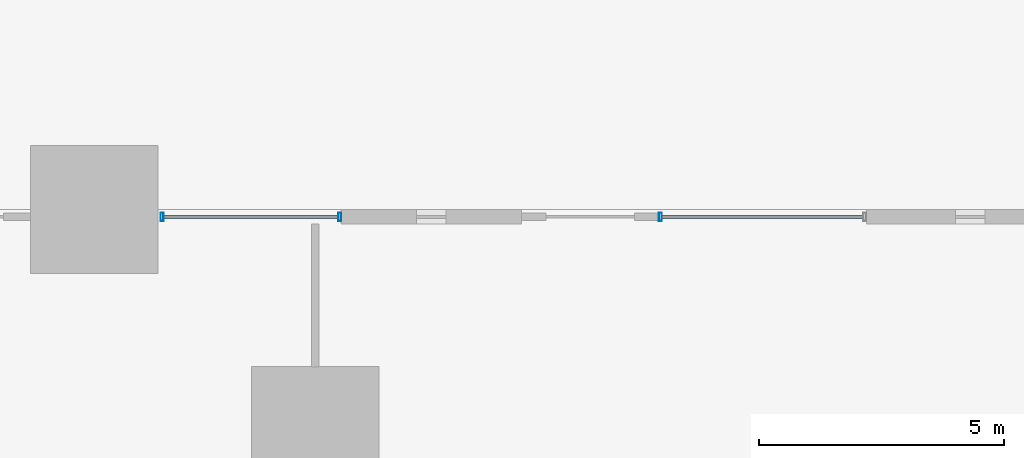
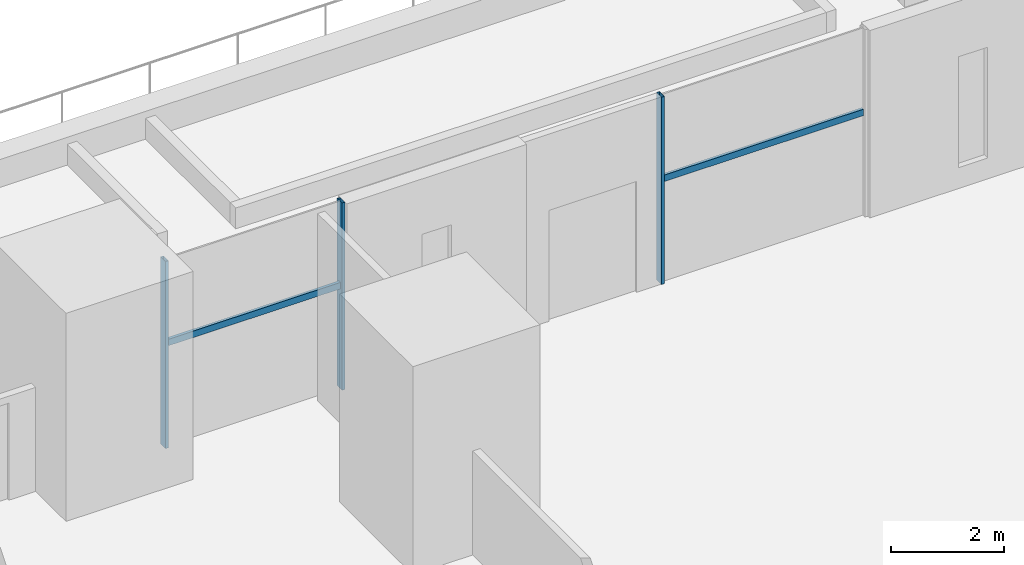
# One storey, part 8 of 26: 5 members, 2 elements without a shape of their own.
"""IFC4 building model written with IfcOpenShell, lengths in metres."""

import ifcopenshell
import ifcopenshell.guid

model = None  # the IFC model being written
_history = None  # IfcOwnerHistory: only IFC2X3 demands one
_inside = {}  # id of a spatial element -> (the spatial element, [elements in it])
_under = {}  # id of a project, library or spatial element -> (it, [spatial elements below it])
_declared = {}  # id of a project -> (the project, [libraries it declares])
_typed = {}  # id of a type object -> (the type object, [elements of that type])
_made_of = {}  # id of a material, layer set ... -> (it, [elements and type objects made of it])


def new_model(schema):
    """Start an empty IFC model of exactly this schema.

    Asked for "IFC4X3", IfcOpenShell would pick the latest addendum, in which some entities
    have other attributes; the version numbers below select the first issue.
    IFC2X3 requires an IfcOwnerHistory on every rooted entity: one is made here for all.
    """
    global model, _history
    if schema == "IFC4X3":
        model = ifcopenshell.file(schema_version=(4, 3, 0, 0))
    else:
        model = ifcopenshell.file(schema=schema)
    _inside.clear()
    _under.clear()
    _declared.clear()
    _typed.clear()
    _made_of.clear()
    _history = None
    if model.schema == "IFC2X3":
        org = make("IfcOrganization", Name="unknown")
        user = make(
            "IfcPersonAndOrganization",
            ThePerson=make("IfcPerson", FamilyName="unknown"),
            TheOrganization=org,
        )
        app = make(
            "IfcApplication",
            ApplicationDeveloper=org,
            Version="unknown",
            ApplicationFullName="unknown",
            ApplicationIdentifier="unknown",
        )
        _history = make(
            "IfcOwnerHistory",
            OwningUser=user,
            OwningApplication=app,
            ChangeAction="ADDED",
            CreationDate=0,
        )
    return model


def make(cls, **values):
    """One entity of the class cls with the attributes given. An attribute that is None is left unset."""
    return model.create_entity(
        cls, **{name: value for name, value in values.items() if value is not None}
    )


def rooted(cls, **values):
    """An entity with a GlobalId (a new one), such as an element, a storey or a relation."""
    return make(cls, GlobalId=ifcopenshell.guid.new(), OwnerHistory=_history, **values)


def si_unit(unit_type, name, prefix=None):
    """IfcSIUnit, for example si_unit("LENGTHUNIT", "METRE", prefix="MILLI")."""
    return make("IfcSIUnit", UnitType=unit_type, Prefix=prefix, Name=name)


def assignment(units):
    """IfcUnitAssignment: the units of a project."""
    return None if units is None else make("IfcUnitAssignment", Units=units)


def point(xyz):
    """IfcCartesianPoint."""
    return None if xyz is None else make("IfcCartesianPoint", Coordinates=xyz)


def direction(xyz):
    """IfcDirection."""
    return None if xyz is None else make("IfcDirection", DirectionRatios=xyz)


def frame(location, z_axis=None, x_axis=None):
    """IfcAxis2Placement3D, a coordinate frame: its origin and axes. An axis left out is left unset."""
    return make(
        "IfcAxis2Placement3D",
        Location=point(location),
        Axis=direction(z_axis),
        RefDirection=direction(x_axis),
    )


def frame_2d(location, x_axis=None):
    """IfcAxis2Placement2D, a coordinate frame in the plane: its origin and x axis."""
    return make(
        "IfcAxis2Placement2D", Location=point(location), RefDirection=direction(x_axis)
    )


def origin():
    """The frame at (0, 0, 0) with its axes left unset."""
    return frame((0.0, 0.0, 0.0))


def origin_2d():
    """The frame at (0, 0) in the plane with its x axis left unset."""
    return frame_2d((0.0, 0.0))


def place(relative_to, where):
    """IfcLocalPlacement: puts the frame where relative to a parent placement (None: the world)."""
    return make(
        "IfcLocalPlacement", PlacementRelTo=relative_to, RelativePlacement=where
    )


def context(
    kind, dimensions, precision=None, world=None, true_north=None, identifier=None
):
    """IfcGeometricRepresentationContext, for example the 3D "Model" context."""
    return make(
        "IfcGeometricRepresentationContext",
        ContextIdentifier=identifier,
        ContextType=kind,
        CoordinateSpaceDimension=dimensions,
        Precision=precision,
        WorldCoordinateSystem=world,
        TrueNorth=true_north,
    )


def subcontext(parent, identifier, kind, view, scale=None):
    """IfcGeometricRepresentationSubContext, for example "Body" below "Model"."""
    return make(
        "IfcGeometricRepresentationSubContext",
        ContextIdentifier=identifier,
        ContextType=kind,
        ParentContext=parent,
        TargetScale=scale,
        TargetView=view,
    )


def project(units=None, contexts=None):
    """IfcProject with its units and contexts."""
    return rooted(
        "IfcProject",
        Name="project",
        RepresentationContexts=contexts,
        UnitsInContext=assignment(units),
    )


def spatial(cls, under=None, at=None, **own):
    """A site, building, storey or space (cls), placed at a placement, below another one or the project."""
    s = rooted(cls, ObjectPlacement=at, **own)
    if under is not None:
        _under.setdefault(under.id(), (under, []))[1].append(s)
    return s


def profile(cls, at=None, kind="AREA", **sizes):
    """A parametric profile (cls). Its sizes go by their IFC names, for example OverallWidth=200.0."""
    return make(cls, ProfileType=kind, Position=at, **sizes)


def hollow_rectangle(**sizes):
    """IfcRectangleHollowProfileDef."""
    return profile("IfcRectangleHollowProfileDef", **sizes)


def extrude(swept, where, along, depth):
    """IfcExtrudedAreaSolid: the profile swept, set in the frame where, extruded along a direction by depth."""
    return make(
        "IfcExtrudedAreaSolid",
        SweptArea=swept,
        Position=where,
        ExtrudedDirection=direction(along),
        Depth=depth,
    )


def shape(context_of_items, identifier, shape_type, items):
    """IfcShapeRepresentation: the items that make up one representation, for example the "Body"."""
    return make(
        "IfcShapeRepresentation",
        ContextOfItems=context_of_items,
        RepresentationIdentifier=identifier,
        RepresentationType=shape_type,
        Items=items,
    )


def material(Name=None, Category=None):
    """IfcMaterial."""
    return make("IfcMaterial", Name=Name, Category=Category)


def material_profile(
    of_material, cross_section, Name=None, Category=None, Priority=None
):
    """IfcMaterialProfile: a cross section and its material."""
    return make(
        "IfcMaterialProfile",
        Name=Name,
        Material=of_material,
        Profile=cross_section,
        Priority=Priority,
        Category=Category,
    )


def profile_set(profiles, Name=None, composite=None):
    """IfcMaterialProfileSet."""
    return make(
        "IfcMaterialProfileSet",
        Name=Name,
        MaterialProfiles=profiles,
        CompositeProfile=composite,
    )


def made_of(thing, what):
    """Note that an element or type object is made of a material, layer set ...; save() writes the relation."""
    if what is not None:
        _made_of.setdefault(what.id(), (what, []))[1].append(thing)
    return thing


def type_object(cls, material=None, **own):
    """A type object (cls), such as IfcWallType, which elements share."""
    return made_of(rooted(cls, **own), material)


def element(
    cls,
    number,
    at=None,
    inside=None,
    cuts=None,
    type_object=None,
    material=None,
    context=None,
    identifier="Body",
    shape_type=None,
    held_by="IfcProductDefinitionShape",
    body=None,
    shapes=None,
    **own,
):
    """One element of the class cls, such as IfcWall. Its Tag is "e" and its number.

    at: its placement. inside: the storey or other place that contains it. cuts: it is an
    opening in that element (IfcRelVoidsElement). A single representation is given by context,
    identifier, shape_type and body (its items); several are given by shapes. held_by: the class
    of the entity that holds the representations. save() writes the other relations.
    """
    e = rooted(cls, Tag="e%d" % number, ObjectPlacement=at, **own)
    if body is not None:
        shapes = [shape(context, identifier, shape_type, body)]
    if shapes is not None:
        e.Representation = make(held_by, Representations=shapes)
    if inside is not None:
        _inside.setdefault(inside.id(), (inside, []))[1].append(e)
    if cuts is not None:
        rooted(
            "IfcRelVoidsElement", RelatingBuildingElement=cuts, RelatedOpeningElement=e
        )
    if type_object is not None:
        _typed.setdefault(type_object.id(), (type_object, []))[1].append(e)
    return made_of(e, material)


def aggregate(whole, parts):
    """IfcRelAggregates: a whole, such as a stair, and the parts it consists of."""
    return rooted("IfcRelAggregates", RelatingObject=whole, RelatedObjects=parts)


def save(model, path):
    """Write the relations noted so far, then the file.

    IfcRelAggregates (storeys below a building ...), IfcRelContainedInSpatialStructure (elements
    in a storey), IfcRelDefinesByType, IfcRelAssociatesMaterial and IfcRelDeclares: one each for
    every whole, place, type object, material and project.
    """
    for whole, parts in _under.values():
        aggregate(whole, parts)
    for where, things in _inside.values():
        rooted(
            "IfcRelContainedInSpatialStructure",
            RelatedElements=things,
            RelatingStructure=where,
        )
    for kind, things in _typed.values():
        rooted("IfcRelDefinesByType", RelatedObjects=things, RelatingType=kind)
    for what, things in _made_of.values():
        rooted("IfcRelAssociatesMaterial", RelatedObjects=things, RelatingMaterial=what)
    for by, libraries in _declared.values():
        rooted("IfcRelDeclares", RelatingContext=by, RelatedDefinitions=libraries)
    model.write(path)


model = new_model("IFC4")

# Units and contexts
model_context = context("Model", 3, precision=1e-05, world=origin(), true_north=direction((0.0, 1.0)))
body_context = subcontext(model_context, "Body", "Model", "MODEL_VIEW")
ifc_project = project(units=[si_unit("LENGTHUNIT", "METRE"), si_unit("AREAUNIT", "SQUARE_METRE"), si_unit("VOLUMEUNIT", "CUBIC_METRE"), si_unit("PLANEANGLEUNIT", "RADIAN"), si_unit("MASSUNIT", "GRAM", prefix="KILO")], contexts=[model_context])

# Site, building, storey
site_placement = place(None, origin())
site = spatial("IfcSite", under=ifc_project, at=site_placement, CompositionType="ELEMENT")
building_placement = place(site_placement, origin())
building = spatial("IfcBuilding", under=site, at=building_placement, Name="Altepetl Exchange Towers", CompositionType="ELEMENT")
storey_placement = place(building_placement, frame((0.0, 0.0, 16.5)))
storey = spatial("IfcBuildingStorey", under=building, at=storey_placement, Name="L03 Podium terrace", CompositionType="ELEMENT", Elevation=16.5)

# Curtain wall, member
ifc_material_1 = material(Name="Aluminium 6063-T6 glazing", Category="aluminium")
curtain_wall_type = type_object("IfcCurtainWallType", Name="Podium storefront system", PredefinedType="NOTDEFINED", material=ifc_material_1)
curtain_wall_1_placement = place(storey_placement, origin())
curtain_wall_1 = element("IfcCurtainWall", 1, at=curtain_wall_1_placement, inside=storey, type_object=curtain_wall_type, Name="CW5 run", PredefinedType="NOTDEFINED")
ifc_material_2 = material(Name="Aluminium 6063-T6", Category="aluminium")
ifc_material_profile_1 = material_profile(ifc_material_2, hollow_rectangle(XDim=0.06005859375, YDim=0.175048828125, WallThickness=0.0029296875, at=origin_2d()), Name="Mullion 60x175 aluminium")
ifc_profile_set_1 = profile_set([ifc_material_profile_1], Name="Aluminium 6063-T6")
member_type_1 = type_object("IfcMemberType", Name="Mullion 60x175 aluminium", PredefinedType="MULLION", material=ifc_profile_set_1)
member_1_placement = place(storey_placement, frame((79.030029296875, 71.85009765625, 0.0), z_axis=(0.0, 0.0, 1.0), x_axis=(-1.0, 0.0, 0.0)))
member_1 = element("IfcMember", 2, at=member_1_placement, type_object=member_type_1, Name="MU4 mullion", PredefinedType="MULLION", context=body_context, shape_type="SweptSolid", body=[
    extrude(hollow_rectangle(XDim=0.06005859375, YDim=0.175048828125, WallThickness=0.0029296875, at=origin_2d()), origin(), (0.0, 0.0, 1.0), 4.050048828125),
])

# Curtain wall, members
curtain_wall_2_placement = place(storey_placement, origin())
curtain_wall_2 = element("IfcCurtainWall", 3, at=curtain_wall_2_placement, inside=storey, type_object=curtain_wall_type, Name="CW5 run", PredefinedType="NOTDEFINED")
member_2_placement = place(storey_placement, frame((72.4951171875, 71.85009765625, 0.0), z_axis=(0.0, 0.0, 1.0), x_axis=(-1.0, 0.0, 0.0)))
member_2 = element("IfcMember", 4, at=member_2_placement, type_object=member_type_1, Name="MU4 mullion", PredefinedType="MULLION", context=body_context, shape_type="SweptSolid", body=[
    extrude(hollow_rectangle(XDim=0.06005859375, YDim=0.175048828125, WallThickness=0.0029296875, at=origin_2d()), origin(), (0.0, 0.0, 1.0), 4.050048828125),
])
member_3_placement = place(storey_placement, frame((68.8798828125, 71.85009765625, 0.0), z_axis=(0.0, 0.0, 1.0), x_axis=(-1.0, 0.0, 0.0)))
member_3 = element("IfcMember", 5, at=member_3_placement, type_object=member_type_1, Name="MU4 mullion", PredefinedType="MULLION", context=body_context, shape_type="SweptSolid", body=[
    extrude(hollow_rectangle(XDim=0.06005859375, YDim=0.175048828125, WallThickness=0.0029296875, at=origin_2d()), origin(), (0.0, 0.0, 1.0), 4.050048828125),
])

# Member
ifc_material_profile_2 = material_profile(ifc_material_2, hollow_rectangle(XDim=0.06005859375, YDim=0.139892578125, WallThickness=0.0029296875, at=origin_2d()), Name="Transom 60x140 aluminium")
ifc_profile_set_2 = profile_set([ifc_material_profile_2], Name="Aluminium 6063-T6")
member_type_2 = type_object("IfcMemberType", Name="Transom 60x140 aluminium", PredefinedType="USERDEFINED", material=ifc_profile_set_2)
member_4_placement = place(storey_placement, frame((83.1650390625, 71.85009765625, 2.22998046875), z_axis=(-1.0, 0.0, 0.0), x_axis=(0.0, -1.0, 0.0)))
member_4 = element("IfcMember", 6, at=member_4_placement, type_object=member_type_2, Name="TR3 transom", ObjectType="TRANSOM", PredefinedType="USERDEFINED", context=body_context, shape_type="SweptSolid", body=[
    extrude(hollow_rectangle(XDim=0.06005859375, YDim=0.139892578125, WallThickness=0.0029296875, at=origin_2d()), origin(), (0.0, 0.0, 1.0), 4.10498046875),
])

aggregate(curtain_wall_1, [member_1, member_4])

member_5_placement = place(storey_placement, frame((72.465087890625, 71.85009765625, 2.22998046875), z_axis=(-1.0, 0.0, 0.0), x_axis=(0.0, -1.0, 0.0)))
member_5 = element("IfcMember", 7, at=member_5_placement, type_object=member_type_2, Name="TR3 transom", ObjectType="TRANSOM", PredefinedType="USERDEFINED", context=body_context, shape_type="SweptSolid", body=[
    extrude(hollow_rectangle(XDim=0.06005859375, YDim=0.139892578125, WallThickness=0.0029296875, at=origin_2d()), origin(), (0.0, 0.0, 1.0), 3.55517578125),
])

aggregate(curtain_wall_2, [member_2, member_3, member_5])

save(model, "model.ifc")
